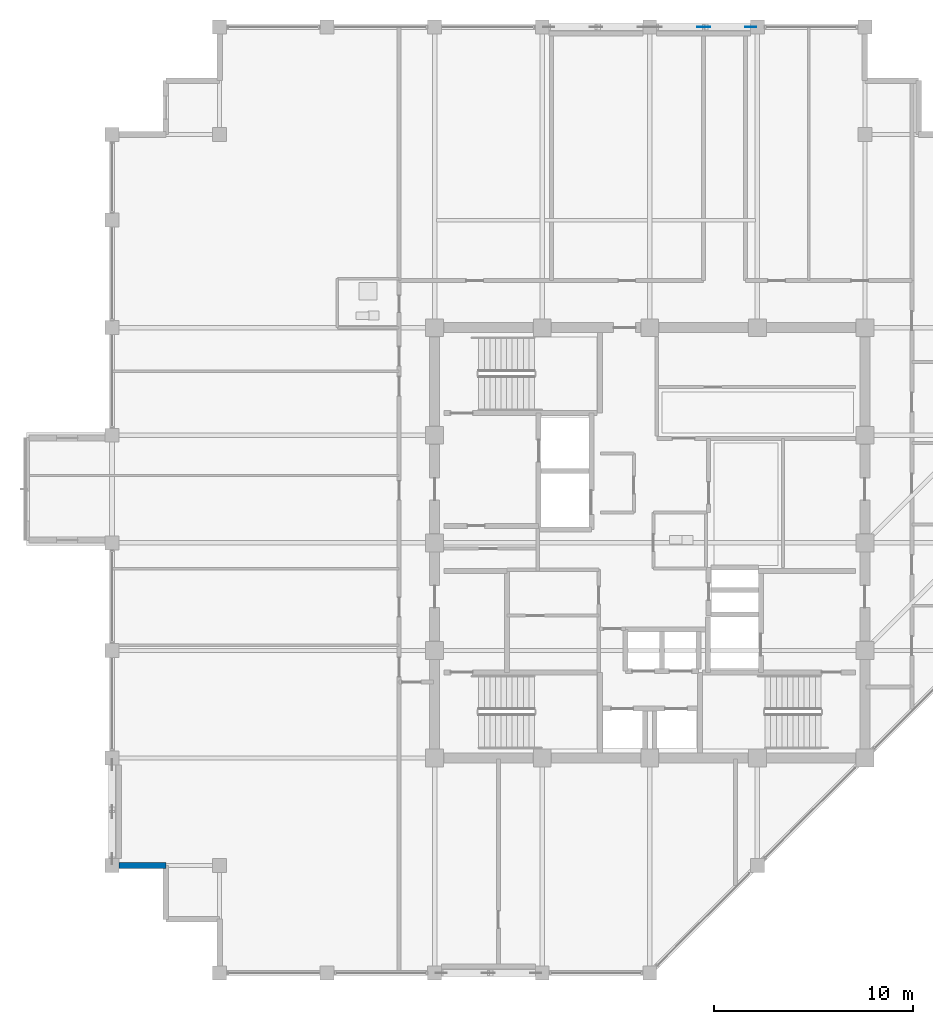
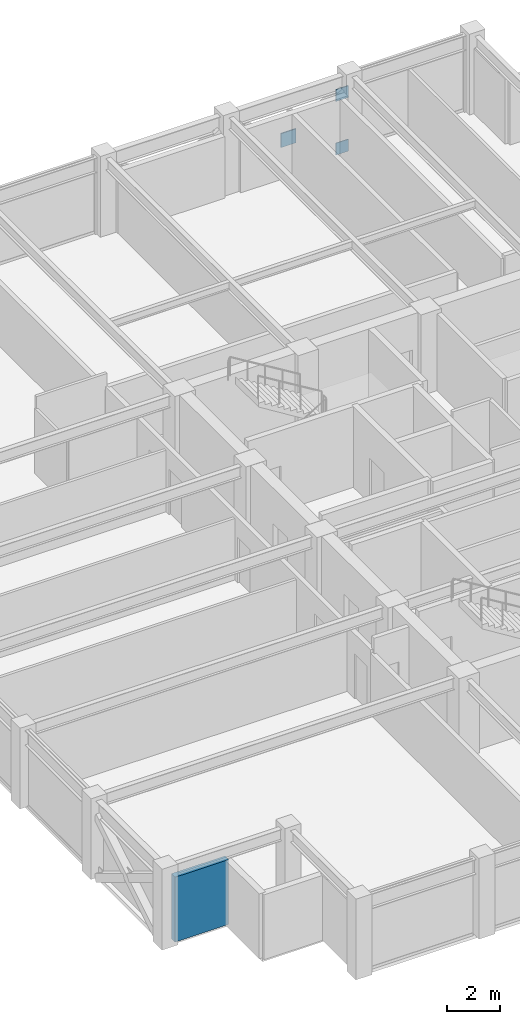
# One storey, part 24 of 31: 3 plates, 1 wall.
"""IFC4 building model written with IfcOpenShell, lengths in metres."""

from ifc_helpers import new_model, si_unit, direction, frame, frame_2d, origin, origin_2d, place, context, subcontext, project, spatial, rectangle, extrude, material, layer, layer_set, type_object, element, save


model = new_model("IFC4")

# Units and contexts
model_context = context("Model", 3, precision=1e-05, world=origin(), true_north=direction((0.0, 1.0)))
body_context = subcontext(model_context, "Body", "Model", "MODEL_VIEW")
ifc_project = project(units=[si_unit("LENGTHUNIT", "METRE"), si_unit("AREAUNIT", "SQUARE_METRE"), si_unit("VOLUMEUNIT", "CUBIC_METRE"), si_unit("PLANEANGLEUNIT", "RADIAN"), si_unit("MASSUNIT", "GRAM", prefix="KILO")], contexts=[model_context])

# Site, building, storey
site_placement = place(None, origin())
site = spatial("IfcSite", under=ifc_project, at=site_placement, CompositionType="ELEMENT")
building_placement = place(site_placement, origin())
building = spatial("IfcBuilding", under=site, at=building_placement, Name="Surkhivell Harbour Commons", CompositionType="ELEMENT")
storey_placement = place(building_placement, frame((0.0, 0.0, 322.5)))
storey = spatial("IfcBuildingStorey", under=building, at=storey_placement, Name="L84", CompositionType="ELEMENT", Elevation=322.5)

# Plates
ifc_material_1 = material(Name="Steel S460", Category="steel")
ifc_layer_1 = layer(ifc_material_1, 0.035888671875)
ifc_layer_set_1 = layer_set([ifc_layer_1], Name="Steel S460")
plate_type_1 = type_object("IfcPlateType", Name="PLT-GUS-550", PredefinedType="USERDEFINED", material=ifc_layer_set_1)
for number, where, z_axis, x_axis, name in (
    (1, (5.06494140625, 25.89990234375, -0.07470703125), (0.0, 0.0, 1.0), (1.0, 0.0, 0.0), "L84 Perimeter Mega-Brace MB- Corner Gusset N2-2"),
    (2, (5.06494140625, 25.89990234375, 2.41357421875), (0.0, 0.0, 1.0), (1.0, 0.0, 0.0), "L84 Perimeter Mega-Brace MB- Corner Gusset N2-4"),
):
    element("IfcPlate", number, at=place(storey_placement, frame(where, z_axis=z_axis, x_axis=x_axis)), inside=storey, type_object=plate_type_1, Name=name, ObjectType="GUSSET_PLATE", PredefinedType="USERDEFINED", context=body_context, shape_type="SweptSolid", body=[
        extrude(rectangle(XDim=0.550048828125, YDim=0.035888671875, at=origin_2d()), origin(), (0.0, 0.0, 1.0), 0.550048828125),
    ])
ifc_layer_2 = layer(ifc_material_1, 0.044921875)
ifc_layer_set_2 = layer_set([ifc_layer_2], Name="Steel S460")
plate_type_2 = type_object("IfcPlateType", Name="PLT-GUS-650", PredefinedType="USERDEFINED", material=ifc_layer_set_2)
plate_placement = place(storey_placement, frame((2.699951171875, 25.89990234375, 1.11962890625), z_axis=(0.0, 0.0, 1.0), x_axis=(1.0, 0.0, 0.0)))
element("IfcPlate", 3, at=plate_placement, inside=storey, type_object=plate_type_2, Name="L84 Perimeter Mega-Brace MB- Central Crossing Gusset N2", ObjectType="GUSSET_PLATE", PredefinedType="USERDEFINED", context=body_context, shape_type="SweptSolid", body=[
    extrude(rectangle(XDim=0.64990234375, YDim=0.044921875, at=origin_2d()), origin(), (0.0, 0.0, 1.0), 0.64990234375),
])

# Wall
ifc_material_2 = material(Name="Terracotta-clad reinforced concrete C45/55", Category="masonry")
ifc_layer_3 = layer(ifc_material_2, 0.280029296875)
ifc_layer_set_3 = layer_set([ifc_layer_3], Name="Terracotta-clad reinforced concrete C45/55")
wall_type = type_object("IfcWallType", Name="WAL-EXT-TER280", PredefinedType="STANDARD", material=ifc_layer_set_3)
wall_placement = place(storey_placement, frame((-26.652099609375, -16.199951171875, 0.0), z_axis=(0.0, 0.0, 1.0), x_axis=(1.0, 0.0, 0.0)))
element("IfcWall", 4, at=wall_placement, inside=storey, type_object=wall_type, Name="L84 Serrated Corner Facade Wall 13", PredefinedType="STANDARD", context=body_context, shape_type="SweptSolid", body=[
    extrude(rectangle(XDim=2.35205078125, YDim=0.280029296875, at=frame_2d((1.176025390625, 0.0))), origin(), (0.0, 0.0, 1.0), 3.012939453125),
])

save(model, "model.ifc")
